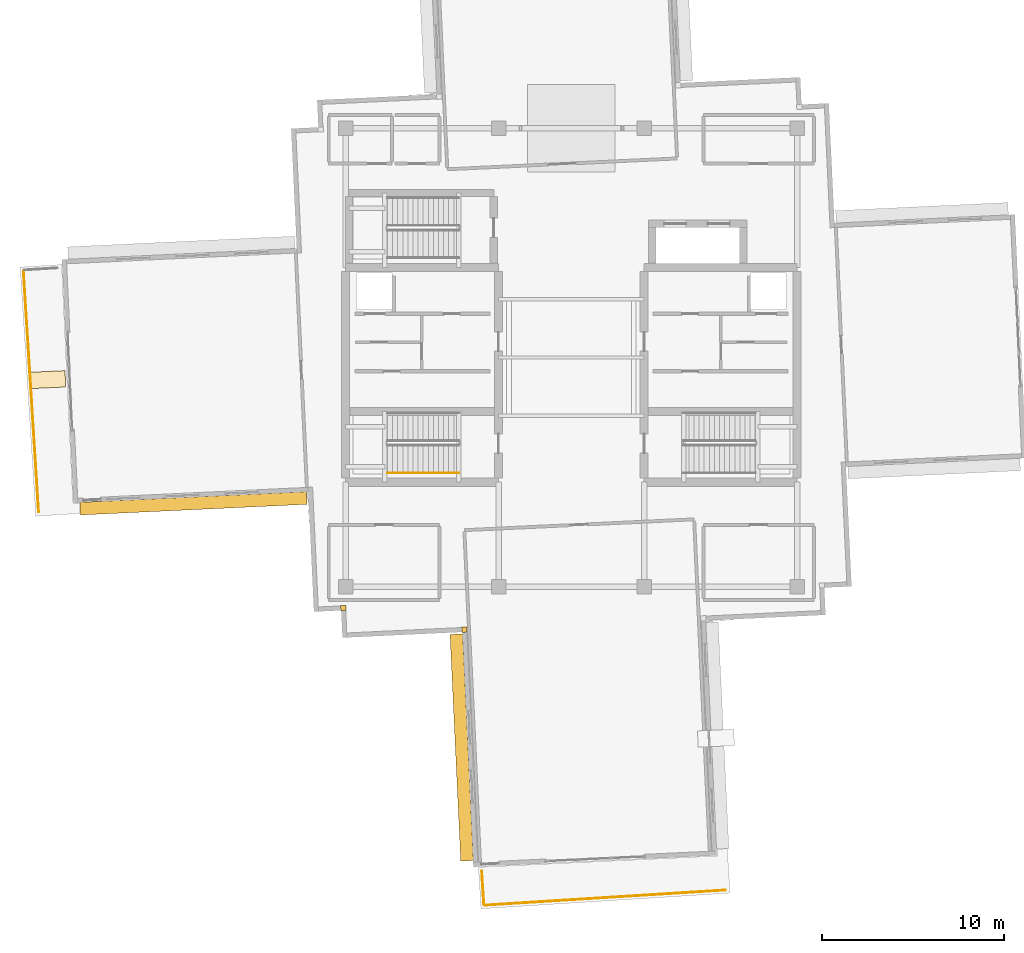
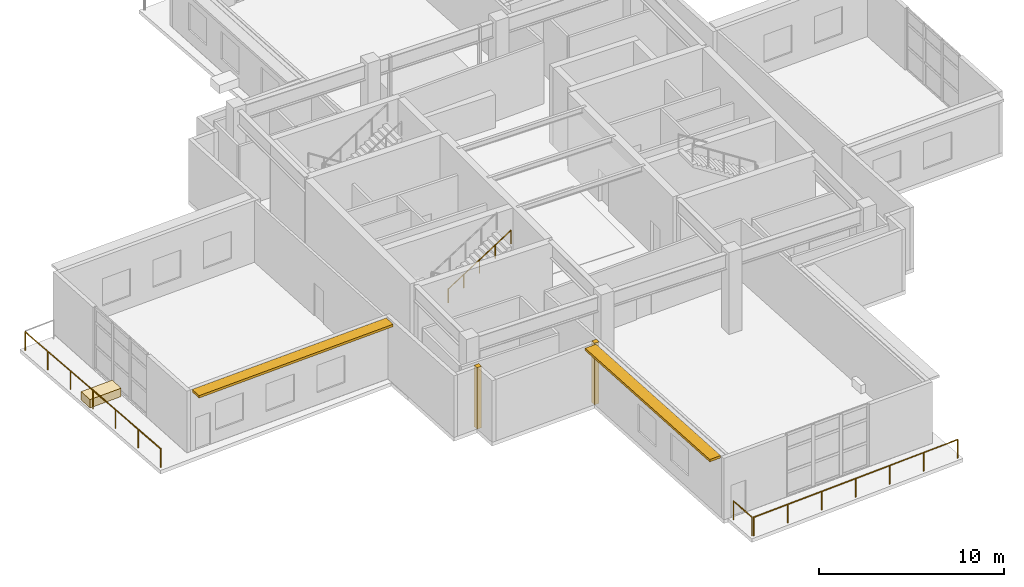
# One storey, part 17 of 22: 4 railings, 3 coverings, 2 shading devices.
"""IFC4 building model written with IfcOpenShell, lengths in metres."""

from ifc_helpers import new_model, si_unit, direction, frame, origin, origin_2d, place, context, subcontext, project, spatial, rectangle, circle, extrude, material, layer, layer_set, type_object, element, save


model = new_model("IFC4")

# Units and contexts
model_context = context("Model", 3, precision=1e-05, world=origin(), true_north=direction((0.0, 1.0)))
body_context = subcontext(model_context, "Body", "Model", "MODEL_VIEW")
ifc_project = project(units=[si_unit("LENGTHUNIT", "METRE"), si_unit("AREAUNIT", "SQUARE_METRE"), si_unit("VOLUMEUNIT", "CUBIC_METRE"), si_unit("PLANEANGLEUNIT", "RADIAN"), si_unit("MASSUNIT", "GRAM", prefix="KILO")], contexts=[model_context])

# Site, building, storey
site_placement = place(None, origin())
site = spatial("IfcSite", under=ifc_project, at=site_placement, CompositionType="ELEMENT")
building_placement = place(site_placement, origin())
building = spatial("IfcBuilding", under=site, at=building_placement, Name="Qingluan Cross Belvedere", CompositionType="ELEMENT")
storey_placement = place(building_placement, frame((0.0, 0.0, 294.0)))
storey = spatial("IfcBuildingStorey", under=building, at=storey_placement, Name="L73", CompositionType="ELEMENT", Elevation=294.0)

# Coverings
ifc_material_1 = material(Name="Precast concrete C45", Category="concrete")
ifc_layer_1 = layer(ifc_material_1, 0.1201171875, Name="ConcreteSpandrelCladding_120")
ifc_layer_set_1 = layer_set([ifc_layer_1], Name="Precast concrete C45")
covering_type_1 = type_object("IfcCoveringType", Name="ConcreteSpandrelCladding_120", PredefinedType="CLADDING", material=ifc_layer_set_1)
for number, where, z_axis, x_axis, name in (
    (1, (-12.525390625, -13.765380859375, 0.0), (0.0, 0.0, 1.0), (0.998889874962, 0.04710645071, 0.0), "Corner closure L73-SW1"),
    (2, (-5.8720703125, -14.953125, 0.0), (0.0, 0.0, 1.0), (0.998889874962, 0.04710645071, 0.0), "Corner closure L73-SW2"),
):
    element("IfcCovering", number, at=place(storey_placement, frame(where, z_axis=z_axis, x_axis=x_axis)), inside=storey, type_object=covering_type_1, Name=name, PredefinedType="CLADDING", context=body_context, shape_type="SweptSolid", body=[
        extrude(rectangle(XDim=0.2900390625, YDim=0.2900390625, at=origin_2d()), origin(), (0.0, 0.0, 1.0), 4.06005859375),
    ])

# Shading devices
ifc_material_2 = material(Name="Precast concrete C45", Category="concrete")
ifc_layer_2 = layer(ifc_material_2, 0.139892578125, Name="ConcreteSunshadeBand_700")
ifc_layer_set_2 = layer_set([ifc_layer_2], Name="Precast concrete C45")
shading_device_type = type_object("IfcShadingDeviceType", Name="ConcreteSunshadeBand_700", PredefinedType="USERDEFINED", material=ifc_layer_set_2)
for number, where, z_axis, x_axis, name in (
    (3, (-20.765625, -8.01220703125, 3.8798828125), (0.0, 0.0, 1.0), (0.998890012716, 0.047103529552, 0.0), "Concrete SUNSHADE L73-WB"),
    (4, (-6.022216796875, -21.427490234375, 3.8798828125), (0.0, 0.0, 1.0), (0.047103529552, -0.998890012716, 0.0), "Concrete SUNSHADE L73-SA"),
):
    element("IfcShadingDevice", number, at=place(storey_placement, frame(where, z_axis=z_axis, x_axis=x_axis)), inside=storey, type_object=shading_device_type, Name=name, ObjectType="SUNSHADE", PredefinedType="USERDEFINED", context=body_context, shape_type="SweptSolid", body=[
        extrude(rectangle(XDim=12.469970703125, YDim=0.699951171875, at=origin_2d()), origin(), (0.0, 0.0, 1.0), 0.159912109375),
    ])

# Railings
ifc_material_3 = material(Name="Laminated safety glass and stainless steel balustrade", Category="steel")
railing_type_1 = type_object("IfcRailingType", Name="ObservationGuardBalustrade_1250", PredefinedType="BALUSTRADE", material=ifc_material_3)
railing_1_placement = place(storey_placement, frame((-29.265625, -8.474365234375, 0.0)))
element("IfcRailing", 5, at=railing_1_placement, inside=storey, type_object=railing_type_1, Name="Terrace guard L73-1", PredefinedType="BALUSTRADE", context=body_context, shape_type="SweptSolid", body=[
    extrude(circle(Radius=0.02392578125, at=origin_2d()), frame((0.0, 0.0, 1.22607421875), z_axis=(-0.062786966437, 0.998026951964, 0.0), x_axis=(-0.998026951964, -0.062786966437, 0.0)), (0.0, 0.0, 1.0), 13.239990234375),
    extrude(circle(Radius=0.02099609375, at=origin_2d()), origin(), (0.0, 0.0, 1.0), 1.201904296875),
    extrude(circle(Radius=0.02099609375, at=origin_2d()), frame((-0.138671875, 2.202392578125, 0.0)), (0.0, 0.0, 1.0), 1.201904296875),
    extrude(circle(Radius=0.02099609375, at=origin_2d()), frame((-0.277099609375, 4.404541015625, 0.0)), (0.0, 0.0, 1.0), 1.201904296875),
    extrude(circle(Radius=0.02099609375, at=origin_2d()), frame((-0.41552734375, 6.60693359375, 0.0)), (0.0, 0.0, 1.0), 1.201904296875),
    extrude(circle(Radius=0.02099609375, at=origin_2d()), frame((-0.55419921875, 8.809326171875, 0.0)), (0.0, 0.0, 1.0), 1.201904296875),
    extrude(circle(Radius=0.02099609375, at=origin_2d()), frame((-0.69287109375, 11.011474609375, 0.0)), (0.0, 0.0, 1.0), 1.201904296875),
    extrude(circle(Radius=0.02099609375, at=origin_2d()), frame((-0.831298828125, 13.2138671875, 0.0)), (0.0, 0.0, 1.0), 1.201904296875),
])
railing_2_placement = place(storey_placement, frame((8.474365234375, -29.265625, 0.0)))
element("IfcRailing", 6, at=railing_2_placement, inside=storey, type_object=railing_type_1, Name="Terrace guard L73-1", PredefinedType="BALUSTRADE", context=body_context, shape_type="SweptSolid", body=[
    extrude(circle(Radius=0.02392578125, at=origin_2d()), frame((0.0, 0.0, 1.22607421875), z_axis=(-0.998026951964, -0.062786966437, 0.0), x_axis=(0.062786966437, -0.998026951964, 0.0)), (0.0, 0.0, 1.0), 13.239990234375),
    extrude(circle(Radius=0.02099609375, at=origin_2d()), origin(), (0.0, 0.0, 1.0), 1.201904296875),
    extrude(circle(Radius=0.02099609375, at=origin_2d()), frame((-2.202392578125, -0.138671875, 0.0)), (0.0, 0.0, 1.0), 1.201904296875),
    extrude(circle(Radius=0.02099609375, at=origin_2d()), frame((-4.404541015625, -0.277099609375, 0.0)), (0.0, 0.0, 1.0), 1.201904296875),
    extrude(circle(Radius=0.02099609375, at=origin_2d()), frame((-6.60693359375, -0.41552734375, 0.0)), (0.0, 0.0, 1.0), 1.201904296875),
    extrude(circle(Radius=0.02099609375, at=origin_2d()), frame((-8.809326171875, -0.55419921875, 0.0)), (0.0, 0.0, 1.0), 1.201904296875),
    extrude(circle(Radius=0.02099609375, at=origin_2d()), frame((-11.011474609375, -0.69287109375, 0.0)), (0.0, 0.0, 1.0), 1.201904296875),
    extrude(circle(Radius=0.02099609375, at=origin_2d()), frame((-13.2138671875, -0.831298828125, 0.0)), (0.0, 0.0, 1.0), 1.201904296875),
])
railing_3_placement = place(storey_placement, frame((-4.80322265625, -30.041015625, 0.0)))
element("IfcRailing", 7, at=railing_3_placement, inside=storey, type_object=railing_type_1, Name="Terrace guard L73-2", PredefinedType="BALUSTRADE", context=body_context, shape_type="SweptSolid", body=[
    extrude(circle(Radius=0.02392578125, at=origin_2d()), frame((0.0, 0.0, 1.22607421875), z_axis=(-0.062763168007, 0.998028448864, 0.0), x_axis=(-0.998028448864, -0.062763168007, 0.0)), (0.0, 0.0, 1.0), 1.816650390625),
    extrude(circle(Radius=0.02099609375, at=origin_2d()), origin(), (0.0, 0.0, 1.0), 1.201904296875),
    extrude(circle(Radius=0.02099609375, at=origin_2d()), frame((-0.114013671875, 1.81298828125, 0.0)), (0.0, 0.0, 1.0), 1.201904296875),
])
ifc_material_4 = material(Name="Brushed stainless steel tubular handrail", Category="steel")
railing_type_2 = type_object("IfcRailingType", Name="StairPitchHandrail_900", PredefinedType="HANDRAIL", material=ifc_material_4)
railing_4_placement = place(storey_placement, frame((-10.10009765625, -6.35009765625, 2.8798828125)))
element("IfcRailing", 8, at=railing_4_placement, inside=storey, type_object=railing_type_2, Name="L73 ST1 stair handrail 2", PredefinedType="HANDRAIL", context=body_context, shape_type="SweptSolid", body=[
    extrude(circle(Radius=0.02392578125, at=origin_2d()), frame((0.0, 0.0, 0.8759765625), z_axis=(0.841186985886, 0.0, 0.540744352514), x_axis=(0.0, 1.0, 0.0)), (0.0, 0.0, 1.0), 4.660400390625),
    extrude(circle(Radius=0.02099609375, at=origin_2d()), origin(), (0.0, 0.0, 1.0), 0.851806640625),
    extrude(circle(Radius=0.02099609375, at=origin_2d()), frame((0.97998046875, 0.0, 0.6298828125)), (0.0, 0.0, 1.0), 0.851806640625),
    extrude(circle(Radius=0.02099609375, at=origin_2d()), frame((1.9599609375, 0.0, 1.260009765625)), (0.0, 0.0, 1.0), 0.851806640625),
    extrude(circle(Radius=0.02099609375, at=origin_2d()), frame((2.940185546875, 0.0, 1.89013671875)), (0.0, 0.0, 1.0), 0.851806640625),
    extrude(circle(Radius=0.02099609375, at=origin_2d()), frame((3.920166015625, 0.0, 2.52001953125)), (0.0, 0.0, 1.0), 0.851806640625),
])

# Covering
ifc_material_5 = material(Name="Precast concrete C40", Category="concrete")
ifc_layer_3 = layer(ifc_material_5, 0.550048828125, Name="TerracePlanterBox")
ifc_layer_set_3 = layer_set([ifc_layer_3], Name="Precast concrete C40")
covering_type_2 = type_object("IfcCoveringType", Name="TerracePlanterBox", PredefinedType="USERDEFINED", material=ifc_layer_set_3)
covering_placement = place(storey_placement, frame((-28.799072265625, -1.218994140625, 0.0), z_axis=(0.0, 0.0, 1.0), x_axis=(0.998889874962, 0.04710645071, 0.0)))
element("IfcCovering", 9, at=covering_placement, inside=storey, type_object=covering_type_2, Name="Terrace garden planter L73-2", ObjectType="PLANTER", PredefinedType="USERDEFINED", context=body_context, shape_type="SweptSolid", body=[
    extrude(rectangle(XDim=2.0, YDim=0.89990234375, at=origin_2d()), origin(), (0.0, 0.0, 1.0), 0.550048828125),
])

save(model, "model.ifc")
